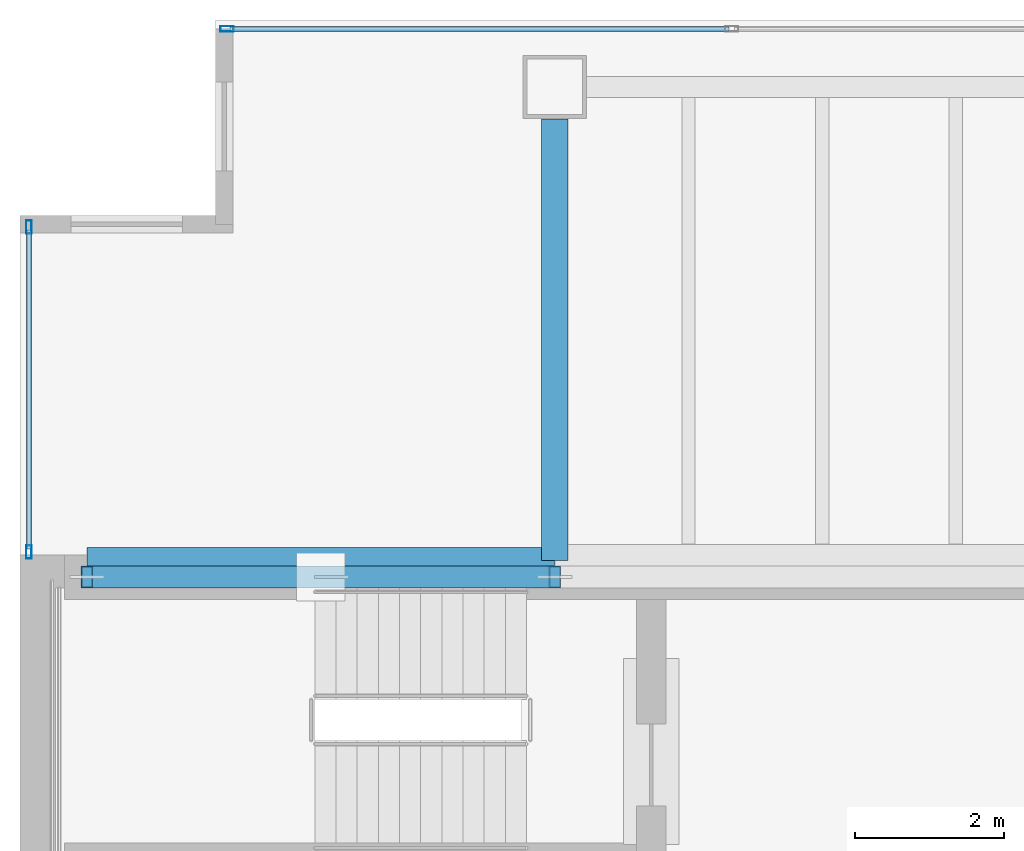
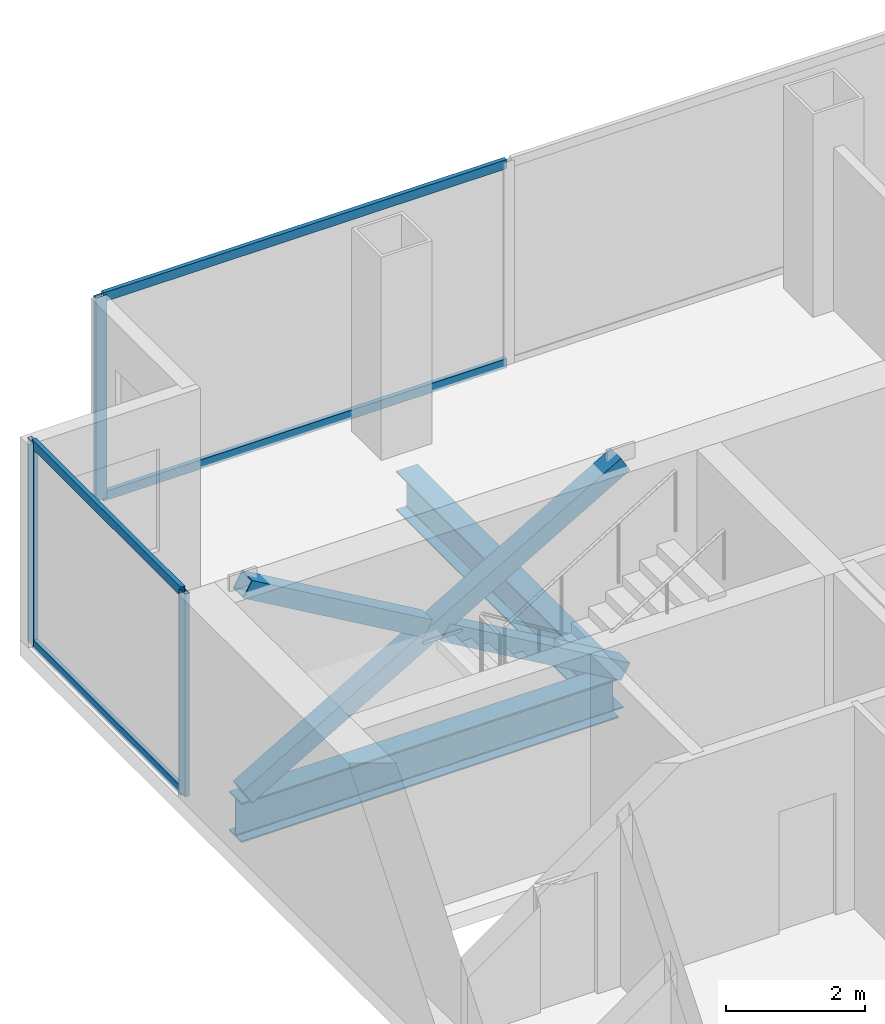
# One storey, part 16 of 24: 10 members, 2 beams, 2 elements without a shape of their own.
"""IFC4 building model written with IfcOpenShell, lengths in metres."""

from ifc_helpers import new_model, si_unit, direction, frame, origin, origin_2d, place, context, subcontext, project, spatial, hollow_rectangle, i_section, extrude, material, material_profile, profile_set, type_object, element, aggregate, save


model = new_model("IFC4")

# Units and contexts
model_context = context("Model", 3, precision=1e-05, world=origin(), true_north=direction((0.0, 1.0)))
body_context = subcontext(model_context, "Body", "Model", "MODEL_VIEW")
ifc_project = project(units=[si_unit("LENGTHUNIT", "METRE"), si_unit("AREAUNIT", "SQUARE_METRE"), si_unit("VOLUMEUNIT", "CUBIC_METRE"), si_unit("PLANEANGLEUNIT", "RADIAN"), si_unit("MASSUNIT", "GRAM", prefix="KILO")], contexts=[model_context])

# Site, building, storey
site_placement = place(None, origin())
site = spatial("IfcSite", under=ifc_project, at=site_placement, CompositionType="ELEMENT")
building_placement = place(site_placement, origin())
building = spatial("IfcBuilding", under=site, at=building_placement, Name="Cobrela Telecom Tower", CompositionType="ELEMENT")
storey_placement = place(building_placement, frame((0.0, 0.0, 152.25)))
storey = spatial("IfcBuildingStorey", under=building, at=storey_placement, Name="L38", CompositionType="ELEMENT", Elevation=152.25)

# Beams
ifc_material_1 = material(Name="Steel ASTM A992 Grade 50", Category="steel")
ifc_material_profile_1 = material_profile(ifc_material_1, i_section(OverallWidth=0.35595703125, OverallDepth=0.696044921875, WebThickness=0.015380859375, FlangeThickness=0.024658203125, FilletRadius=0.01806640625, at=origin_2d()), Name="W27X146")
ifc_profile_set_1 = profile_set([ifc_material_profile_1], Name="Steel ASTM A992 Grade 50")
beam_type = type_object("IfcBeamType", Name="BM-GIRD-05", PredefinedType="USERDEFINED", material=ifc_profile_set_1)
beam_1_placement = place(storey_placement, frame((0.905029296875, 35.919921875, -0.617919921875), z_axis=(1.0, 0.0, 0.0), x_axis=(0.0, 1.0, 0.0)))
element("IfcBeam", 1, at=beam_1_placement, inside=storey, type_object=beam_type, Name="L38 Primary Girder X25", ObjectType="GIRDER", PredefinedType="USERDEFINED", context=body_context, shape_type="SweptSolid", body=[
    extrude(i_section(OverallWidth=0.35595703125, OverallDepth=0.696044921875, WebThickness=0.015380859375, FlangeThickness=0.024658203125, FilletRadius=0.01806640625, at=origin_2d()), origin(), (0.0, 0.0, 1.0), 6.2900390625),
])
beam_2_placement = place(storey_placement, frame((7.199951171875, 35.925048828125, -0.617919921875), z_axis=(0.0, 1.0, 0.0), x_axis=(-1.0, 0.0, 0.0)))
element("IfcBeam", 2, at=beam_2_placement, inside=storey, type_object=beam_type, Name="L38 Primary Girder Y32", ObjectType="GIRDER", PredefinedType="USERDEFINED", context=body_context, shape_type="SweptSolid", body=[
    extrude(i_section(OverallWidth=0.35595703125, OverallDepth=0.696044921875, WebThickness=0.015380859375, FlangeThickness=0.024658203125, FilletRadius=0.01806640625, at=origin_2d()), origin(), (0.0, 0.0, 1.0), 5.945068359375),
])

# Curtain wall, members
ifc_material_2 = material(Name="Anodized Bronze Aluminium 6063-T6", Category="aluminium")
curtain_wall_type = type_object("IfcCurtainWallType", Name="CW-SYS-TEL", PredefinedType="USERDEFINED", material=ifc_material_2)
curtain_wall_1_placement = place(storey_placement, origin())
curtain_wall_1 = element("IfcCurtainWall", 3, at=curtain_wall_1_placement, inside=storey, type_object=curtain_wall_type, Name="L38 Unitised Bronze Curtain Wall 04", ObjectType="UNITISED CURTAIN WALL", PredefinedType="USERDEFINED")
ifc_material_profile_2 = material_profile(ifc_material_2, hollow_rectangle(XDim=0.074951171875, YDim=0.179931640625, WallThickness=0.00390625, at=origin_2d()), Name="ALU 75x180x4")
ifc_profile_set_2 = profile_set([ifc_material_profile_2], Name="Anodized Bronze Aluminium 6063-T6")
member_type_1 = type_object("IfcMemberType", Name="CW-SYS-TEL-MUL", PredefinedType="MULLION", material=ifc_profile_set_2)
member_1_placement = place(storey_placement, frame((0.1201171875, 36.03759765625, 0.0), z_axis=(0.0, 0.0, 1.0), x_axis=(-1.0, 0.0, 0.0)))
member_1 = element("IfcMember", 4, at=member_1_placement, type_object=member_type_1, Name="CW-TEL mullion 1", PredefinedType="MULLION", context=body_context, shape_type="SweptSolid", body=[
    extrude(hollow_rectangle(XDim=0.074951171875, YDim=0.179931640625, WallThickness=0.00390625, at=origin_2d()), origin(), (0.0, 0.0, 1.0), 3.580078125),
])
member_2_placement = place(storey_placement, frame((0.1201171875, 40.41259765625, 0.0), z_axis=(0.0, 0.0, 1.0), x_axis=(-1.0, 0.0, 0.0)))
member_2 = element("IfcMember", 5, at=member_2_placement, type_object=member_type_1, Name="CW-TEL mullion 2", PredefinedType="MULLION", context=body_context, shape_type="SweptSolid", body=[
    extrude(hollow_rectangle(XDim=0.074951171875, YDim=0.179931640625, WallThickness=0.00390625, at=origin_2d()), origin(), (0.0, 0.0, 1.0), 3.580078125),
])

# Curtain wall, member
curtain_wall_2_placement = place(storey_placement, origin())
curtain_wall_2 = element("IfcCurtainWall", 6, at=curtain_wall_2_placement, inside=storey, type_object=curtain_wall_type, Name="L38 Unitised Bronze Curtain Wall 07", ObjectType="UNITISED CURTAIN WALL", PredefinedType="USERDEFINED")
member_3_placement = place(storey_placement, frame((2.78759765625, 43.080078125, 0.0), z_axis=(0.0, 0.0, 1.0), x_axis=(0.0, 1.0, 0.0)))
member_3 = element("IfcMember", 7, at=member_3_placement, type_object=member_type_1, Name="CW-TEL mullion 1", PredefinedType="MULLION", context=body_context, shape_type="SweptSolid", body=[
    extrude(hollow_rectangle(XDim=0.074951171875, YDim=0.179931640625, WallThickness=0.00390625, at=origin_2d()), origin(), (0.0, 0.0, 1.0), 3.580078125),
])

# Member
ifc_material_profile_3 = material_profile(ifc_material_2, hollow_rectangle(XDim=0.070068359375, YDim=0.159912109375, WallThickness=0.00390625, at=origin_2d()), Name="ALU 70x160x4")
ifc_profile_set_3 = profile_set([ifc_material_profile_3], Name="Anodized Bronze Aluminium 6063-T6")
member_type_2 = type_object("IfcMemberType", Name="CW-SYS-TEL-TRN", PredefinedType="USERDEFINED", material=ifc_profile_set_3)
member_4_placement = place(storey_placement, frame((0.1201171875, 36.074951171875, 0.034912109375), z_axis=(0.0, 1.0, 0.0), x_axis=(-1.0, 0.0, 0.0)))
member_4 = element("IfcMember", 8, at=member_4_placement, type_object=member_type_2, Name="CW-TEL transom 1.1", ObjectType="TRANSOM", PredefinedType="USERDEFINED", context=body_context, shape_type="SweptSolid", body=[
    extrude(hollow_rectangle(XDim=0.070068359375, YDim=0.159912109375, WallThickness=0.00390625, at=origin_2d()), origin(), (0.0, 0.0, 1.0), 4.300048828125),
])

member_5_placement = place(storey_placement, frame((0.1201171875, 36.074951171875, 3.544921875), z_axis=(0.0, 1.0, 0.0), x_axis=(-1.0, 0.0, 0.0)))
member_5 = element("IfcMember", 9, at=member_5_placement, type_object=member_type_2, Name="CW-TEL transom 1.2", ObjectType="TRANSOM", PredefinedType="USERDEFINED", context=body_context, shape_type="SweptSolid", body=[
    extrude(hollow_rectangle(XDim=0.070068359375, YDim=0.159912109375, WallThickness=0.00390625, at=origin_2d()), origin(), (0.0, 0.0, 1.0), 4.300048828125),
])

aggregate(curtain_wall_1, [member_1, member_2, member_4, member_5])

member_6_placement = place(storey_placement, frame((2.824951171875, 43.080078125, 0.034912109375), z_axis=(1.0, 0.0, 0.0), x_axis=(0.0, 1.0, 0.0)))
member_6 = element("IfcMember", 10, at=member_6_placement, type_object=member_type_2, Name="CW-TEL transom 1.1", ObjectType="TRANSOM", PredefinedType="USERDEFINED", context=body_context, shape_type="SweptSolid", body=[
    extrude(hollow_rectangle(XDim=0.070068359375, YDim=0.159912109375, WallThickness=0.00390625, at=origin_2d()), origin(), (0.0, 0.0, 1.0), 6.720947265625),
])

member_7_placement = place(storey_placement, frame((2.824951171875, 43.080078125, 3.544921875), z_axis=(1.0, 0.0, 0.0), x_axis=(0.0, 1.0, 0.0)))
member_7 = element("IfcMember", 11, at=member_7_placement, type_object=member_type_2, Name="CW-TEL transom 1.2", ObjectType="TRANSOM", PredefinedType="USERDEFINED", context=body_context, shape_type="SweptSolid", body=[
    extrude(hollow_rectangle(XDim=0.070068359375, YDim=0.159912109375, WallThickness=0.00390625, at=origin_2d()), origin(), (0.0, 0.0, 1.0), 6.720947265625),
])

aggregate(curtain_wall_2, [member_3, member_6, member_7])

# Members
ifc_material_3 = material(Name="Steel ASTM A572 Grade 50", Category="steel")
ifc_material_profile_4 = material_profile(ifc_material_3, hollow_rectangle(XDim=0.300048828125, YDim=0.300048828125, WallThickness=0.01611328125, at=origin_2d()), Name="HSS 300x300x16")
ifc_profile_set_4 = profile_set([ifc_material_profile_4], Name="Steel ASTM A572 Grade 50")
member_type_3 = type_object("IfcMemberType", Name="MBR-EXO-03", PredefinedType="BRACE", material=ifc_profile_set_4)
member_8_placement = place(storey_placement, frame((0.89990234375, 35.699951171875, -0.0400390625), z_axis=(0.864665946149, 0.0, 0.502347291791), x_axis=(0.0, 1.0, 0.0)))
element("IfcMember", 12, at=member_8_placement, inside=storey, type_object=member_type_3, Name="L38 Core Flange Steel X-Brace Continuous A", PredefinedType="BRACE", context=body_context, shape_type="SweptSolid", body=[
    extrude(hollow_rectangle(XDim=0.300048828125, YDim=0.300048828125, WallThickness=0.01611328125, at=origin_2d()), origin(), (0.0, 0.0, 1.0), 7.2861328125),
])
member_9_placement = place(storey_placement, frame((7.199951171875, 35.699951171875, -0.0400390625), z_axis=(-0.864666885148, 0.0, 0.502345675535), x_axis=(0.0, -1.0, 0.0)))
element("IfcMember", 13, at=member_9_placement, inside=storey, type_object=member_type_3, Name="L38 Core Flange Steel X-Brace Split B1", PredefinedType="BRACE", context=body_context, shape_type="SweptSolid", body=[
    extrude(hollow_rectangle(XDim=0.300048828125, YDim=0.300048828125, WallThickness=0.01611328125, at=origin_2d()), origin(), (0.0, 0.0, 1.0), 3.474853515625),
])
member_10_placement = place(storey_placement, frame((3.90478515625, 35.699951171875, 1.87451171875), z_axis=(-0.864684613256, 0.0, 0.502315159634), x_axis=(0.0, -1.0, 0.0)))
element("IfcMember", 14, at=member_10_placement, inside=storey, type_object=member_type_3, Name="L38 Core Flange Steel X-Brace Split B2", PredefinedType="BRACE", context=body_context, shape_type="SweptSolid", body=[
    extrude(hollow_rectangle(XDim=0.300048828125, YDim=0.300048828125, WallThickness=0.01611328125, at=origin_2d()), origin(), (0.0, 0.0, 1.0), 3.47509765625),
])

save(model, "model.ifc")
